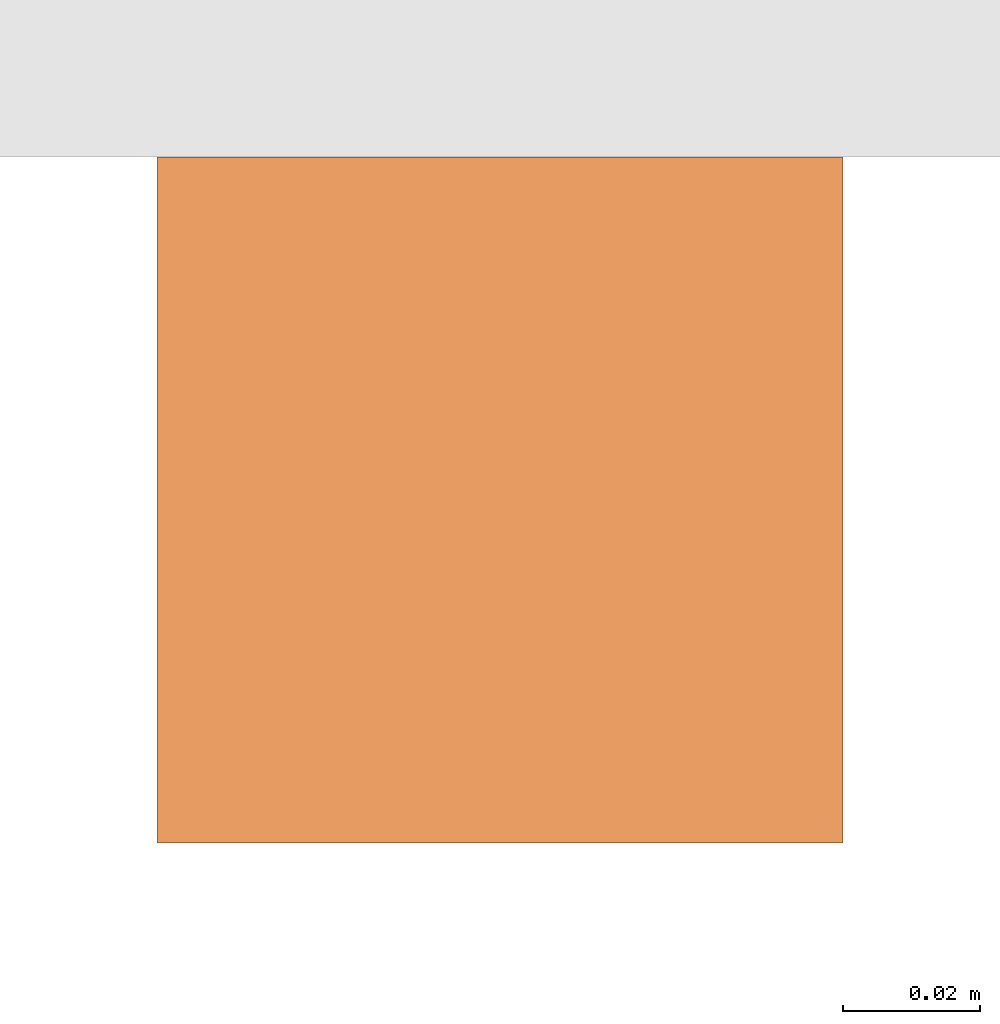
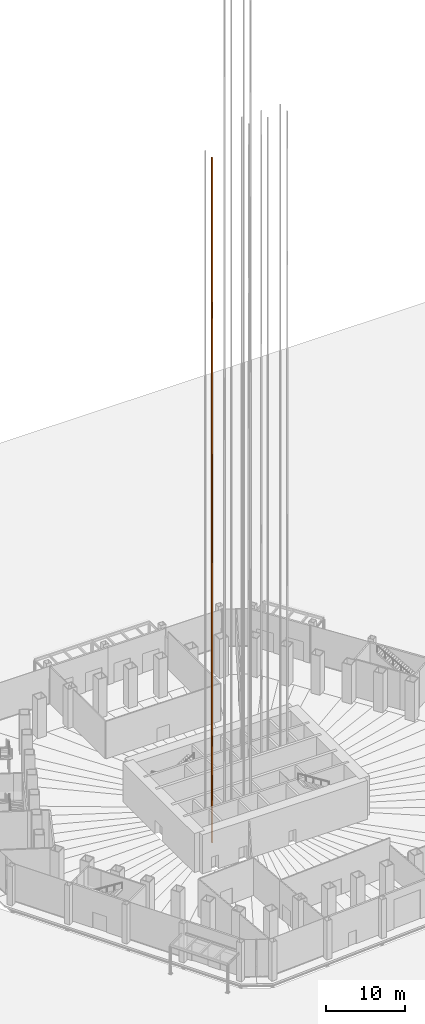
# One storey, part 34 of 45: 1 proxy.
"""IFC4 building model written with IfcOpenShell, lengths in metres."""

from ifc_helpers import new_model, si_unit, direction, frame, origin, origin_2d, place, context, subcontext, project, spatial, rectangle, extrude, material, type_object, element, save


model = new_model("IFC4")

# Units and contexts
model_context = context("Model", 3, precision=1e-05, world=origin(), true_north=direction((0.0, 1.0)))
body_context = subcontext(model_context, "Body", "Model", "MODEL_VIEW")
ifc_project = project(units=[si_unit("LENGTHUNIT", "METRE"), si_unit("AREAUNIT", "SQUARE_METRE"), si_unit("VOLUMEUNIT", "CUBIC_METRE"), si_unit("PLANEANGLEUNIT", "RADIAN"), si_unit("MASSUNIT", "GRAM", prefix="KILO")], contexts=[model_context])

# Site, building, storey
site_placement = place(None, origin())
site = spatial("IfcSite", under=ifc_project, at=site_placement, CompositionType="ELEMENT")
building_placement = place(site_placement, origin())
building = spatial("IfcBuilding", under=site, at=building_placement, Name="Qingtian Harvest Tower", CompositionType="ELEMENT")
storey_placement = place(building_placement, origin())
storey = spatial("IfcBuildingStorey", under=building, at=storey_placement, Name="L00", CompositionType="ELEMENT", Elevation=0.0)

# Proxy
ifc_material = material(Name="Steel SN490B", Category="steel")
building_element_proxy_type = type_object("IfcBuildingElementProxyType", Name="Lift guide rail LR1", PredefinedType="NOTDEFINED", material=ifc_material)
proxy_placement = place(storey_placement, frame((-7.5, -4.375, 0.0), z_axis=(0.0, 0.0, 1.0), x_axis=(1.0, 0.0, 0.0)))
element("IfcBuildingElementProxy", 1, at=proxy_placement, inside=storey, type_object=building_element_proxy_type, Name="Lift SH1 guide rail 1", PredefinedType="NOTDEFINED", context=body_context, shape_type="SweptSolid", body=[
    extrude(rectangle(XDim=0.10009765625, YDim=0.10009765625, at=origin_2d()), origin(), (0.0, 0.0, 1.0), 105.39990234375),
])

save(model, "model.ifc")
